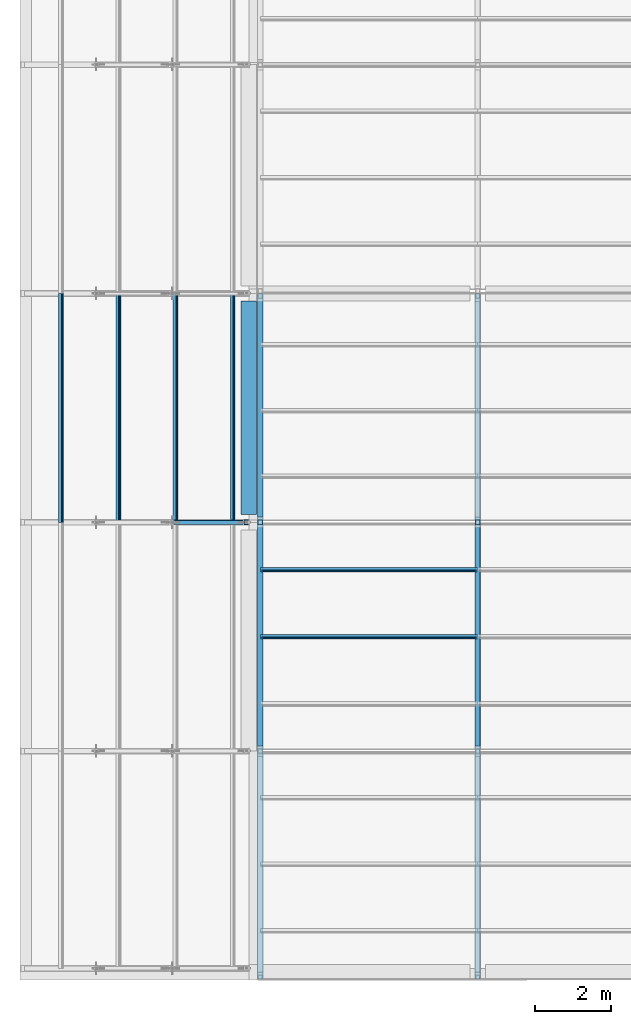
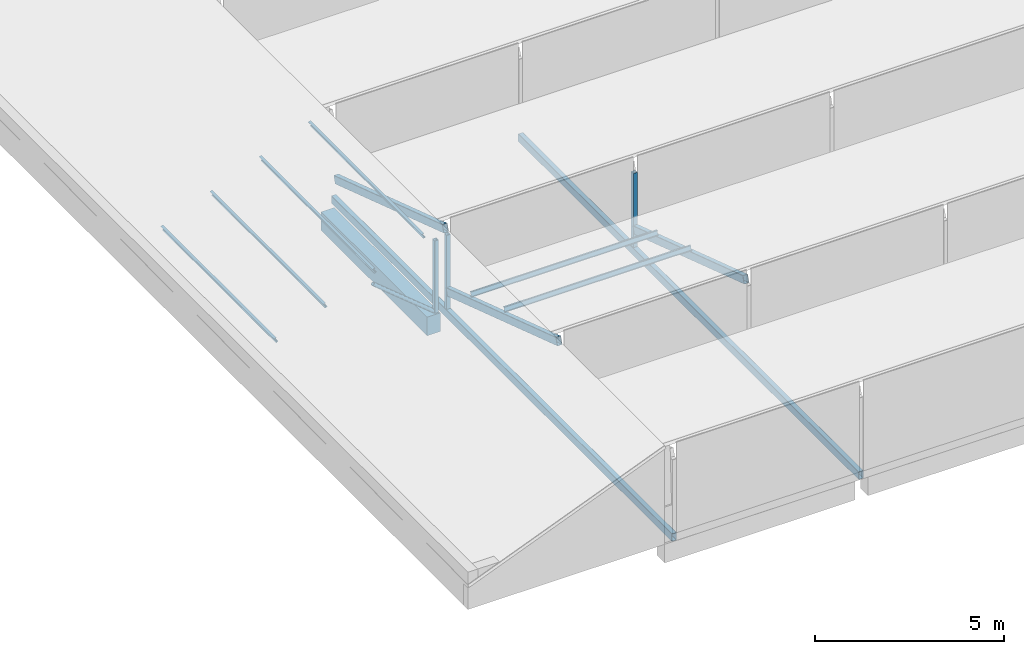
# One storey, part 5 of 118: 15 members, 1 beam.
"""IFC4 building model written with IfcOpenShell, lengths in metres."""

from ifc_helpers import new_model, si_unit, direction, frame, origin, origin_2d, place, context, subcontext, project, spatial, rectangle, hollow_rectangle, hollow_circle, i_section, extrude, material, material_profile, profile_set, type_object, element, save


model = new_model("IFC4")

# Units and contexts
model_context = context("Model", 3, precision=1e-05, world=origin(), true_north=direction((0.0, 1.0)))
body_context = subcontext(model_context, "Body", "Model", "MODEL_VIEW")
ifc_project = project(units=[si_unit("LENGTHUNIT", "METRE"), si_unit("AREAUNIT", "SQUARE_METRE"), si_unit("VOLUMEUNIT", "CUBIC_METRE"), si_unit("PLANEANGLEUNIT", "RADIAN"), si_unit("MASSUNIT", "GRAM", prefix="KILO")], contexts=[model_context])

# Site, building, storey
site_placement = place(None, origin())
site = spatial("IfcSite", under=ifc_project, at=site_placement, CompositionType="ELEMENT")
building_placement = place(site_placement, origin())
building = spatial("IfcBuilding", under=site, at=building_placement, Name="Saffron Lane Theatres", CompositionType="ELEMENT")
storey_placement = place(building_placement, frame((0.0, 0.0, 16.5)))
storey = spatial("IfcBuildingStorey", under=building, at=storey_placement, Name="L03", CompositionType="ELEMENT", Elevation=16.5)

# Beam
ifc_material_1 = material(Name="Concrete N40 (40 MPa)", Category="concrete")
ifc_material_profile_1 = material_profile(ifc_material_1, rectangle(XDim=0.39990234375, YDim=0.60009765625, at=origin_2d()))
ifc_profile_set_1 = profile_set([ifc_material_profile_1], Name="Concrete N40 (40 MPa)")
beam_type = type_object("IfcBeamType", Name="RC-BEAM 400x600", PredefinedType="BEAM", material=ifc_profile_set_1)
beam_placement = place(storey_placement, frame((6.0, 12.199951171875, -0.300048828125), z_axis=(0.0, 1.0, 0.0), x_axis=(-1.0, 0.0, 0.0)))
element("IfcBeam", 1, at=beam_placement, inside=storey, type_object=beam_type, Name="beam-eaves-y60-182", PredefinedType="BEAM", context=body_context, shape_type="SweptSolid", body=[
    extrude(rectangle(XDim=0.39990234375, YDim=0.60009765625, at=origin_2d()), origin(), (0.0, 0.0, 1.0), 5.60009765625),
])

# Members
ifc_material_2 = material(Name="Steel Grade 350", Category="steel")
ifc_material_profile_2 = material_profile(ifc_material_2, hollow_rectangle(XDim=0.125, YDim=0.125, WallThickness=0.006103515625, InnerFilletRadius=0.0029296875, OuterFilletRadius=0.009033203125, at=origin_2d()))
ifc_profile_set_2 = profile_set([ifc_material_profile_2], Name="Steel Grade 350")
member_type_1 = type_object("IfcMemberType", Name="ST-STUDIO POST 125x125x6 SHS", PredefinedType="POST", material=ifc_profile_set_2)
for number, where, z_axis, x_axis, name in (
    (2, (6.300048828125, 12.0, 0.25), (0.0, 0.0, 1.0), (1.0, 0.0, 0.0), "GBP6"),
    (3, (12.0, 12.0, 0.25), (0.0, 0.0, 1.0), (1.0, 0.0, 0.0), "GBP14"),
):
    element("IfcMember", number, at=place(storey_placement, frame(where, z_axis=z_axis, x_axis=x_axis)), inside=storey, type_object=member_type_1, Name=name, PredefinedType="POST", context=body_context, shape_type="SweptSolid", body=[
        extrude(hollow_rectangle(XDim=0.125, YDim=0.125, WallThickness=0.006103515625, InnerFilletRadius=0.0029296875, OuterFilletRadius=0.009033203125, at=origin_2d()), origin(), (0.0, 0.0, 1.0), 2.388671875),
    ])
member_1_placement = place(storey_placement, frame((5.9375, 12.0, 0.25), z_axis=(0.0, 0.0, 1.0), x_axis=(1.0, 0.0, 0.0)))
element("IfcMember", 4, at=member_1_placement, inside=storey, type_object=member_type_1, Name="GWP17", PredefinedType="POST", context=body_context, shape_type="SweptSolid", body=[
    extrude(hollow_rectangle(XDim=0.125, YDim=0.125, WallThickness=0.006103515625, InnerFilletRadius=0.0029296875, OuterFilletRadius=0.009033203125, at=origin_2d()), origin(), (0.0, 0.0, 1.0), 2.33544921875),
])
ifc_material_3 = material(Name="Steel Grade 350", Category="steel")
ifc_material_profile_3 = material_profile(ifc_material_3, i_section(OverallWidth=0.074951171875, OverallDepth=0.155029296875, WebThickness=0.006103515625, FlangeThickness=0.009521484375, FilletRadius=0.008056640625, at=origin_2d()))
ifc_profile_set_3 = profile_set([ifc_material_profile_3], Name="Steel Grade 350")
member_type_2 = type_object("IfcMemberType", Name="ST-STUDIO PURLIN 150UB18.0", PredefinedType="PURLIN", material=ifc_profile_set_3)
for number, where, z_axis, x_axis, name in (
    (5, (6.300048828125, 9.0, 2.01416015625), (1.0, 0.0, 0.0), (0.0, 0.949628648787, -0.313377455162), "GBU57"),
    (6, (6.300048828125, 10.762451171875, 1.4326171875), (1.0, 0.0, 0.0), (0.0, 0.949628648787, -0.313377455162), "GBU61"),
):
    element("IfcMember", number, at=place(storey_placement, frame(where, z_axis=z_axis, x_axis=x_axis)), inside=storey, type_object=member_type_2, Name=name, PredefinedType="PURLIN", context=body_context, shape_type="SweptSolid", body=[
        extrude(i_section(OverallWidth=0.074951171875, OverallDepth=0.155029296875, WebThickness=0.006103515625, FlangeThickness=0.009521484375, FilletRadius=0.008056640625, at=origin_2d()), origin(), (0.0, 0.0, 1.0), 5.699951171875),
    ])
for number, where, z_axis, x_axis, name in (
    (7, (1.0791015625, 12.0, 1.03125), (0.0, 1.0, 0.0), (-0.929273373147, 0.0, -0.36939274216), "GWU45"),
    (8, (2.5791015625, 12.0, 1.627685546875), (0.0, 1.0, 0.0), (-0.929273373147, 0.0, -0.36939274216), "GWU50"),
    (9, (4.0791015625, 12.0, 2.223876953125), (0.0, 1.0, 0.0), (-0.929273373147, 0.0, -0.36939274216), "GWU55"),
    (10, (5.5791015625, 12.0, 2.820068359375), (0.0, 1.0, 0.0), (-0.929273373147, 0.0, -0.36939274216), "GWU60"),
):
    element("IfcMember", number, at=place(storey_placement, frame(where, z_axis=z_axis, x_axis=x_axis)), inside=storey, type_object=member_type_2, Name=name, PredefinedType="PURLIN", context=body_context, shape_type="SweptSolid", body=[
        extrude(i_section(OverallWidth=0.074951171875, OverallDepth=0.155029296875, WebThickness=0.006103515625, FlangeThickness=0.009521484375, FilletRadius=0.008056640625, at=origin_2d()), origin(), (0.0, 0.0, 1.0), 6.0),
    ])
ifc_material_4 = material(Name="Steel Grade 350", Category="steel")
ifc_material_profile_4 = material_profile(ifc_material_4, hollow_rectangle(XDim=0.14990234375, YDim=0.25, WallThickness=0.009033203125, InnerFilletRadius=0.00439453125, OuterFilletRadius=0.013427734375, at=origin_2d()))
ifc_profile_set_4 = profile_set([ifc_material_profile_4], Name="Steel Grade 350")
member_type_3 = type_object("IfcMemberType", Name="ST-STUDIO TRUSS CHORD 250x150x9 RHS", PredefinedType="CHORD", material=ifc_profile_set_4)
member_2_placement = place(storey_placement, frame((6.300048828125, 0.02001953125, 0.125), z_axis=(0.0, 1.0, 0.0), x_axis=(-1.0, 0.0, 0.0)))
element("IfcMember", 11, at=member_2_placement, inside=storey, type_object=member_type_3, Name="GBT1", PredefinedType="CHORD", context=body_context, shape_type="SweptSolid", body=[
    extrude(hollow_rectangle(XDim=0.14990234375, YDim=0.25, WallThickness=0.009033203125, InnerFilletRadius=0.00439453125, OuterFilletRadius=0.013427734375, at=origin_2d()), origin(), (0.0, 0.0, 1.0), 17.97998046875),
])
member_3_placement = place(storey_placement, frame((6.300048828125, 6.1015625, 2.757568359375), z_axis=(0.0, 0.949622935999, -0.313394766109), x_axis=(-1.0, 0.0, 0.0)))
element("IfcMember", 12, at=member_3_placement, inside=storey, type_object=member_type_3, Name="GBC5", PredefinedType="CHORD", context=body_context, shape_type="SweptSolid", body=[
    extrude(hollow_rectangle(XDim=0.14990234375, YDim=0.25, WallThickness=0.009033203125, InnerFilletRadius=0.00439453125, OuterFilletRadius=0.013427734375, at=origin_2d()), origin(), (0.0, 0.0, 1.0), 6.1044921875),
])
member_4_placement = place(storey_placement, frame((6.300048828125, 12.1015625, 2.757568359375), z_axis=(0.0, 0.949629130372, -0.313375995807), x_axis=(-1.0, 0.0, 0.0)))
element("IfcMember", 13, at=member_4_placement, inside=storey, type_object=member_type_3, Name="GBC8", PredefinedType="CHORD", context=body_context, shape_type="SweptSolid", body=[
    extrude(hollow_rectangle(XDim=0.14990234375, YDim=0.25, WallThickness=0.009033203125, InnerFilletRadius=0.00439453125, OuterFilletRadius=0.013427734375, at=origin_2d()), origin(), (0.0, 0.0, 1.0), 6.03857421875),
])
member_5_placement = place(storey_placement, frame((12.0, 0.02001953125, 0.125), z_axis=(0.0, 1.0, 0.0), x_axis=(-1.0, 0.0, 0.0)))
element("IfcMember", 14, at=member_5_placement, inside=storey, type_object=member_type_3, Name="GBT9", PredefinedType="CHORD", context=body_context, shape_type="SweptSolid", body=[
    extrude(hollow_rectangle(XDim=0.14990234375, YDim=0.25, WallThickness=0.009033203125, InnerFilletRadius=0.00439453125, OuterFilletRadius=0.013427734375, at=origin_2d()), origin(), (0.0, 0.0, 1.0), 17.97998046875),
])
member_6_placement = place(storey_placement, frame((12.0, 6.1015625, 2.757568359375), z_axis=(0.0, 0.949622935999, -0.313394766109), x_axis=(-1.0, 0.0, 0.0)))
element("IfcMember", 15, at=member_6_placement, inside=storey, type_object=member_type_3, Name="GBC13", PredefinedType="CHORD", context=body_context, shape_type="SweptSolid", body=[
    extrude(hollow_rectangle(XDim=0.14990234375, YDim=0.25, WallThickness=0.009033203125, InnerFilletRadius=0.00439453125, OuterFilletRadius=0.013427734375, at=origin_2d()), origin(), (0.0, 0.0, 1.0), 6.1044921875),
])
ifc_material_5 = material(Name="Steel Grade 350", Category="steel")
ifc_material_profile_5 = material_profile(ifc_material_5, hollow_circle(Radius=0.05712890625, WallThickness=0.006103515625, at=origin_2d()))
ifc_profile_set_5 = profile_set([ifc_material_profile_5], Name="Steel Grade 350")
member_type_4 = type_object("IfcMemberType", Name="ST-STUDIO TRUSS WEB 114.3x6.0 CHS", PredefinedType="BRACE", material=ifc_profile_set_5)
member_7_placement = place(storey_placement, frame((5.8837890625, 12.0, 0.294189453125), z_axis=(-0.773024871508, 0.0, 0.634375715195), x_axis=(0.0, -1.0, 0.0)))
element("IfcMember", 16, at=member_7_placement, inside=storey, type_object=member_type_4, Name="GWW20", PredefinedType="BRACE", context=body_context, shape_type="SweptSolid", body=[
    extrude(hollow_circle(Radius=0.05712890625, WallThickness=0.006103515625, at=origin_2d()), origin(), (0.0, 0.0, 1.0), 2.4052734375),
])

save(model, "model.ifc")
